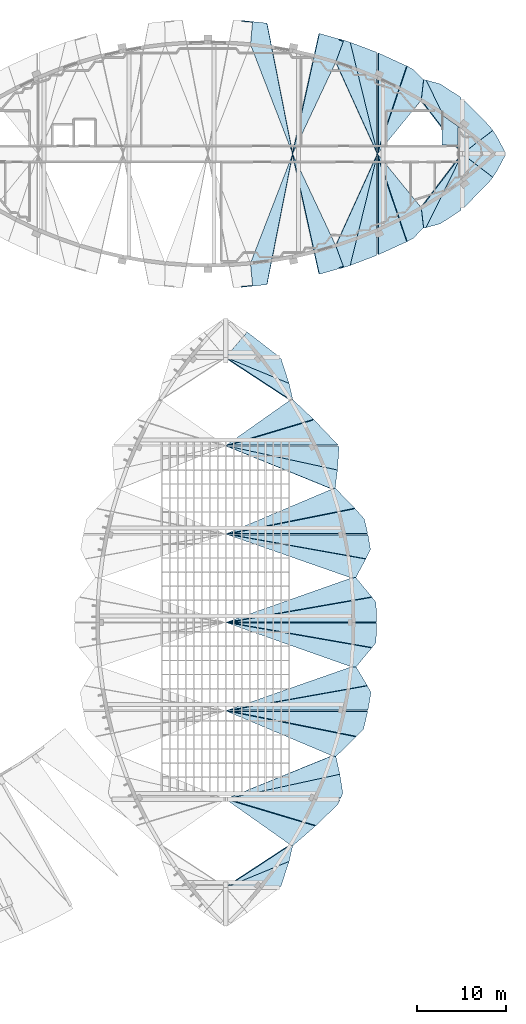
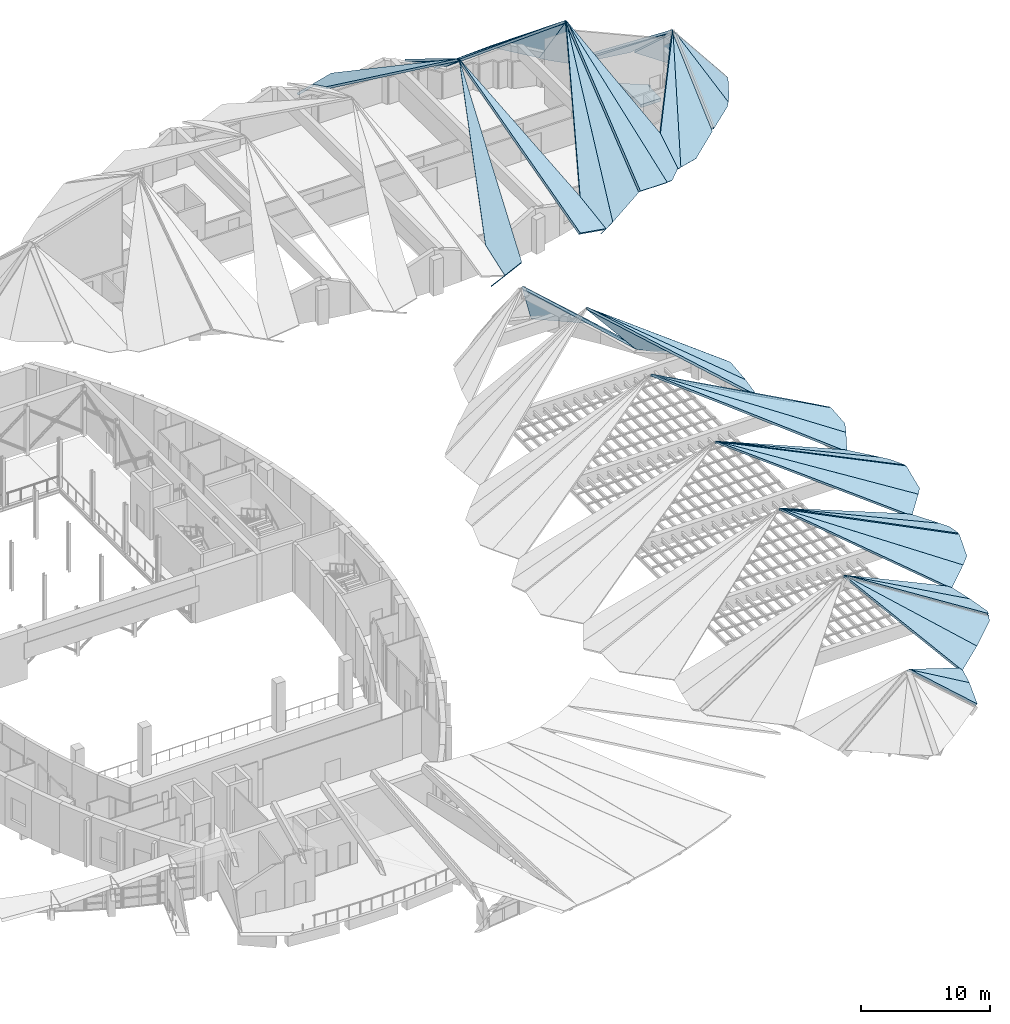
# One storey, part 26 of 56: 46 slabs.
"""IFC4 building model written with IfcOpenShell, lengths in metres."""

from ifc_helpers import new_model, si_unit, direction, frame, origin, place, context, subcontext, project, spatial, polyline, outline, extrude, material, layer, layer_set, type_object, element, save


model = new_model("IFC4")

# Units and contexts
model_context = context("Model", 3, precision=1e-05, world=origin(), true_north=direction((0.0, 1.0)))
body_context = subcontext(model_context, "Body", "Model", "MODEL_VIEW")
ifc_project = project(units=[si_unit("LENGTHUNIT", "METRE"), si_unit("AREAUNIT", "SQUARE_METRE"), si_unit("VOLUMEUNIT", "CUBIC_METRE"), si_unit("PLANEANGLEUNIT", "RADIAN"), si_unit("MASSUNIT", "GRAM", prefix="KILO")], contexts=[model_context])

# Site, building, storey
site_placement = place(None, origin())
site = spatial("IfcSite", under=ifc_project, at=site_placement, CompositionType="ELEMENT")
building_placement = place(site_placement, origin())
building = spatial("IfcBuilding", under=site, at=building_placement, Name="Tide Square Theatres", CompositionType="ELEMENT")
storey_placement = place(building_placement, frame((0.0, 0.0, 10.199951171875)))
storey = spatial("IfcBuildingStorey", under=building, at=storey_placement, Name="L02", CompositionType="ELEMENT", Elevation=10.199951171875)

# Slabs
ifc_material_1 = material(Name="Concrete C35", Category="concrete")
ifc_layer_1 = layer(ifc_material_1, 0.280029296875)
ifc_layer_set_1 = layer_set([ifc_layer_1], Name="Concrete C35")
slab_type_1 = type_object("IfcSlabType", Name="RC floor slab 280", PredefinedType="FLOOR", material=ifc_layer_set_1)
slab_1_placement = place(storey_placement, frame((0.0, 0.0, -0.280029296875)))
element("IfcSlab", 1, at=slab_1_placement, inside=storey, type_object=slab_type_1, Name="Rehearsal Block floor slab L02", PredefinedType="FLOOR", context=body_context, shape_type="SweptSolid", body=[
    extrude(outline(polyline([(156.399169921875, 98.800048828125), (158.199951171875, 98.800048828125), (158.199951171875, 100.770751953125), (158.38671875, 100.770751953125), (156.399169921875, 102.17333984375), (156.399169921875, 98.800048828125)])), origin(), (0.0, 0.0, 1.0), 0.280029296875),
])
ifc_material_2 = material(Name="Concrete C40", Category="concrete")
ifc_layer_2 = layer(ifc_material_2, 0.199951171875)
ifc_layer_set_2 = layer_set([ifc_layer_2], Name="Concrete C40")
slab_type_2 = type_object("IfcSlabType", Name="RC roof slab 200", PredefinedType="ROOF", material=ifc_layer_set_2)
slab_2_placement = place(storey_placement, frame((138.24951171875, 15.26220703125, 0.37451171875), z_axis=(0.651841129726, -0.209992899881, 0.728701669819), x_axis=(0.306634505872, 0.951827337183, 0.0)))
element("IfcSlab", 2, at=slab_2_placement, inside=storey, type_object=slab_type_2, Name="Roof plate blackbox-P001", PredefinedType="ROOF", context=body_context, shape_type="SweptSolid", body=[
    extrude(outline(polyline([(0.0, 0.0), (2.9443262710539138, 0.0), (-1.8141293898416808, 7.727795903360272), (0.0, 0.0)])), origin(), (0.0, 0.0, -1.0), 0.199951171875),
])
slab_3_placement = place(storey_placement, frame((139.31640625, 19.915771484375, 0.60009765625), z_axis=(0.64371022527, -0.148574380427, 0.750708198546), x_axis=(-0.714546787471, -0.467884606227, 0.520102762703)))
element("IfcSlab", 3, at=slab_3_placement, inside=storey, type_object=slab_type_2, Name="Roof plate blackbox-P002", PredefinedType="ROOF", context=body_context, shape_type="SweptSolid", body=[
    extrude(outline(polyline([(0.0, 0.0), (10.239218583435303, 0.0), (0.8525325142345725, 1.6620956280831232), (-0.24390417723711083, 0.2621384902535224), (0.0, 0.0)])), origin(), (0.0, 0.0, -1.0), 0.199951171875),
])
slab_4_placement = place(storey_placement, frame((139.553466796875, 19.805419921875, 0.374755859375), z_axis=(0.450816222594, -0.516851838219, 0.727756079175), x_axis=(0.75362146597, 0.657308668496, -1.8672417e-05)))
element("IfcSlab", 4, at=slab_4_placement, inside=storey, type_object=slab_type_2, Name="Roof plate blackbox-P003", PredefinedType="ROOF", context=body_context, shape_type="SweptSolid", body=[
    extrude(outline(polyline([(0.0, 0.0), (3.418661209771164, -2.220446049250313e-16), (-2.223126390282082, 12.288203356114805), (-0.10612308592226032, 0.3284691440458979), (0.0, 0.0)])), origin(), (0.0, 0.0, -1.0), 0.199951171875),
])
slab_5_placement = place(storey_placement, frame((142.134521484375, 22.051025390625, 0.37109375), z_axis=(0.468753755392, -0.48538371109, 0.738019355989), x_axis=(0.719305755696, 0.694693622665, 2.1265543e-05)))
element("IfcSlab", 5, at=slab_5_placement, inside=storey, type_object=slab_type_2, Name="Roof plate blackbox-P004", PredefinedType="ROOF", context=body_context, shape_type="SweptSolid", body=[
    extrude(outline(polyline([(0.0, 0.0), (3.50550750266216, 0.0), (4.020505820062702, 0.25928961846760046), (-5.008754329295012, 12.075247954446489), (0.0, 0.0)])), origin(), (0.0, 0.0, -1.0), 0.199951171875),
])
slab_6_placement = place(storey_placement, frame((145.216064453125, 25.77392578125, 0.337890625), z_axis=(0.534168637569, 0.085863986226, 0.841006089459), x_axis=(-0.158659547849, 0.987333351489, -3.022901e-05)))
element("IfcSlab", 6, at=slab_6_placement, inside=storey, type_object=slab_type_2, Name="Roof plate blackbox-P006", PredefinedType="ROOF", context=body_context, shape_type="SweptSolid", body=[
    extrude(outline(polyline([(0.0, 0.0), (2.139149803525805, 5.551115123125783e-17), (1.441349195093357, 15.0765159013952), (-0.5439402573822256, 0.38477074984799847), (0.0, 0.0)])), origin(), (0.0, 0.0, -1.0), 0.199951171875),
])
slab_7_placement = place(storey_placement, frame((132.0, 25.083740234375, 8.802490234375), z_axis=(0.528002976657, 0.11532766139, 0.841375295073), x_axis=(0.822133558054, 0.178910374358, -0.540451191754)))
element("IfcSlab", 7, at=slab_7_placement, inside=storey, type_object=slab_type_2, Name="Roof plate blackbox-P007", PredefinedType="ROOF", context=body_context, shape_type="SweptSolid", body=[
    extrude(outline(polyline([(0.0, 0.0), (15.662761079927593, 1.214306433183765e-17), (15.661229108386202, 2.0422088247784953), (15.17570792873776, 2.223795605383497), (0.0, 0.0)])), origin(), (0.0, 0.0, -1.0), 0.199951171875),
])
slab_8_placement = place(storey_placement, frame((144.4287109375, 29.8837890625, 0.344970703125), z_axis=(0.403536185551, -0.413358999378, 0.816267654991), x_axis=(0.715608971172, 0.698501107859, -5.1938312e-05)))
element("IfcSlab", 8, at=slab_8_placement, inside=storey, type_object=slab_type_2, Name="Roof plate blackbox-P008", PredefinedType="ROOF", context=body_context, shape_type="SweptSolid", body=[
    extrude(outline(polyline([(0.0, 0.0), (3.1727192353363716, 4.440892098500626e-16), (-5.291711772021265, 15.157467046026962), (-0.24313972496583394, 0.4413381798781687), (0.0, 0.0)])), origin(), (0.0, 0.0, -1.0), 0.199951171875),
])
slab_9_placement = place(storey_placement, frame((146.702880859375, 32.09912109375, 0.343017578125), z_axis=(0.412432877172, -0.389856001333, 0.823353763611), x_axis=(0.686978302391, 0.726677927605, -3.9699456e-05)))
element("IfcSlab", 9, at=slab_9_placement, inside=storey, type_object=slab_type_2, Name="Roof plate blackbox-P009", PredefinedType="ROOF", context=body_context, shape_type="SweptSolid", body=[
    extrude(outline(polyline([(0.0, 0.0), (1.2434502173172084, -1.1102230246251565e-16), (2.9820500319574172, 1.2266579197152387), (-7.740891423988614, 15.00240433314255), (0.0, 0.0)])), origin(), (0.0, 0.0, -1.0), 0.199951171875),
])
slab_10_placement = place(storey_placement, frame((148.39208984375, 37.10107421875, 0.330322265625), z_axis=(0.435167439676, 0.236351756479, 0.868773357473), x_axis=(-0.477309817991, 0.878735077919, 2.1999157e-05)))
element("IfcSlab", 10, at=slab_10_placement, inside=storey, type_object=slab_type_2, Name="Roof plate blackbox-P011", PredefinedType="ROOF", context=body_context, shape_type="SweptSolid", body=[
    extrude(outline(polyline([(0.0, 0.0), (0.8940691021952729, 5.551115123125783e-17), (5.867463603671381, 17.20164615596464), (-1.5747094035103049, 1.4313012202411177), (0.0, 0.0)])), origin(), (0.0, 0.0, -1.0), 0.199951171875),
])
slab_11_placement = place(storey_placement, frame((146.1640625, 39.993408203125, 0.60009765625), z_axis=(0.429854542753, 0.256624888477, 0.865660868175), x_axis=(-0.821314274413, -0.287125702464, 0.492952019603)))
element("IfcSlab", 11, at=slab_11_placement, inside=storey, type_object=slab_type_2, Name="Roof plate blackbox-P012", PredefinedType="ROOF", context=body_context, shape_type="SweptSolid", body=[
    extrude(outline(polyline([(0.0, 0.0), (17.245589530344652, -1.1102230246251565e-15), (-1.0058056686057628, 2.5961960622085263), (-0.5801415299079574, 0.1942411090286149), (0.0, 0.0)])), origin(), (0.0, 0.0, -1.0), 0.199951171875),
])
slab_12_placement = place(storey_placement, frame((146.70361328125, 39.98095703125, 0.335693359375), z_axis=(0.40777862309, -0.337579333042, 0.848384811541), x_axis=(0.637724242498, 0.770264752973, -2.9293243e-05)))
element("IfcSlab", 12, at=slab_12_placement, inside=storey, type_object=slab_type_2, Name="Roof plate blackbox-P013", PredefinedType="ROOF", context=body_context, shape_type="SweptSolid", body=[
    extrude(outline(polyline([(0.0, 0.0), (2.78197163258674, -2.220446049250313e-16), (-5.511124276509456, 17.122466396839577), (-0.3345016596925678, 0.4992878326882741), (0.0, 0.0)])), origin(), (0.0, 0.0, -1.0), 0.199951171875),
])
slab_13_placement = place(storey_placement, frame((148.480224609375, 42.123291015625, 0.33447265625), z_axis=(0.413986290526, -0.317197234357, 0.853229902062), x_axis=(0.608203472051, 0.79378116416, -3.175374e-06)))
element("IfcSlab", 13, at=slab_13_placement, inside=storey, type_object=slab_type_2, Name="Roof plate blackbox-P014", PredefinedType="ROOF", context=body_context, shape_type="SweptSolid", body=[
    extrude(outline(polyline([(0.0, 0.0), (0.7919853388838701, 1.6653345369377348e-16), (2.5619924806162917, 1.49612510061672), (-7.560700910128584, 16.98004299996804), (0.0, 0.0)])), origin(), (0.0, 0.0, -1.0), 0.199951171875),
])
slab_14_placement = place(storey_placement, frame((148.9619140625, 47.248046875, 0.33447265625), z_axis=(0.413986290526, 0.317197234357, 0.853229902062), x_axis=(-0.608203472051, 0.79378116416, 3.175374e-06)))
element("IfcSlab", 14, at=slab_14_placement, inside=storey, type_object=slab_type_2, Name="Roof plate blackbox-P016", PredefinedType="ROOF", context=body_context, shape_type="SweptSolid", body=[
    extrude(outline(polyline([(0.0, 0.0), (0.7919853388838701, -1.6653345369377348e-16), (8.352686249012455, 16.980042999968042), (-1.7700071417324215, 1.4961251006167198), (0.0, 0.0)])), origin(), (0.0, 0.0, -1.0), 0.199951171875),
])
slab_15_placement = place(storey_placement, frame((132.0, 45.0, 9.400146484375), z_axis=(0.407778271797, 0.33757890965, 0.848385148862), x_axis=(0.866105891908, 0.151178822143, -0.476450991957)))
element("IfcSlab", 15, at=slab_15_placement, inside=storey, type_object=slab_type_2, Name="Roof plate blackbox-P017", PredefinedType="ROOF", context=body_context, shape_type="SweptSolid", body=[
    extrude(outline(polyline([(0.0, 0.0), (19.025096458893465, 4.440892098500626e-16), (17.7940759854273, 2.541688522239008), (17.21726062884242, 2.587165192434457), (0.0, 0.0)])), origin(), (0.0, 0.0, -1.0), 0.199951171875),
])
slab_16_placement = place(storey_placement, frame((146.678955078125, 50.0517578125, 0.334716796875), z_axis=(0.460849153849, -0.247698468619, 0.852210963342), x_axis=(0.473462344921, 0.880814059535, -2.1622992e-05)))
element("IfcSlab", 16, at=slab_16_placement, inside=storey, type_object=slab_type_2, Name="Roof plate blackbox-P018", PredefinedType="ROOF", context=body_context, shape_type="SweptSolid", body=[
    extrude(outline(polyline([(0.0, 0.0), (2.3734760657882643, -1.1102230246251565e-16), (-2.628425948187599, 17.89752876850755), (-0.28357084732546506, 0.507118238104997), (0.0, 0.0)])), origin(), (0.0, 0.0, -1.0), 0.199951171875),
])
slab_17_placement = place(storey_placement, frame((147.80419921875, 52.14208984375, 0.333984375), z_axis=(0.466598118233, -0.225501151475, 0.855239981961), x_axis=(0.435074451295, 0.900394480297, 4.1008166e-05)))
element("IfcSlab", 17, at=slab_17_placement, inside=storey, type_object=slab_type_2, Name="Roof plate blackbox-P019", PredefinedType="ROOF", context=body_context, shape_type="SweptSolid", body=[
    extrude(outline(polyline([(0.0, 0.0), (1.2166287703854137, -1.1102230246251565e-16), (2.568988310846622, 1.1309145523068245), (-4.213405614789709, 17.543827097796743), (0.0, 0.0)])), origin(), (0.0, 0.0, -1.0), 0.199951171875),
])
slab_18_placement = place(storey_placement, frame((147.638916015625, 56.64892578125, 0.34765625), z_axis=(0.440739398825, 0.39132685885, 0.807844088836), x_axis=(-0.6639036847, 0.747818090042, -4.0593594e-05)))
element("IfcSlab", 18, at=slab_18_placement, inside=storey, type_object=slab_type_2, Name="Roof plate blackbox-P021", PredefinedType="ROOF", context=body_context, shape_type="SweptSolid", body=[
    extrude(outline(polyline([(0.0, 0.0), (1.6342688802628365, -1.1102230246251565e-16), (8.906764639426534, 15.418768055880458), (-1.4543904401438459, 0.9715510358349481), (0.0, 0.0)])), origin(), (0.0, 0.0, -1.0), 0.199951171875),
])
slab_19_placement = place(storey_placement, frame((144.003173828125, 60.0283203125, 0.60009765625), z_axis=(0.431120833363, 0.416122323904, 0.800610416238), x_axis=(-0.755276386604, -0.319022332412, 0.572522777941)))
element("IfcSlab", 19, at=slab_19_placement, inside=storey, type_object=slab_type_2, Name="Roof plate blackbox-P022", PredefinedType="ROOF", context=body_context, shape_type="SweptSolid", body=[
    extrude(outline(polyline([(0.0, 0.0), (15.89235332345597, -2.220446049250313e-16), (-1.3788745828510889, 3.0505933928146236), (-0.4458918538124589, 0.029083772992681327), (0.0, 0.0)])), origin(), (0.0, 0.0, -1.0), 0.199951171875),
])
slab_20_placement = place(storey_placement, frame((144.35400390625, 60.145751953125, 0.35009765625), z_axis=(0.595336577291, -0.075895161992, 0.799883919157), x_axis=(0.126470452663, 0.991970374826, -8.418883e-06)))
element("IfcSlab", 20, at=slab_20_placement, inside=storey, type_object=slab_type_2, Name="Roof plate blackbox-P023", PredefinedType="ROOF", context=body_context, shape_type="SweptSolid", body=[
    extrude(outline(polyline([(0.0, 0.0), (2.0422792747126945, -2.7755575615628914e-17), (3.169704735805697, 16.075000209429643), (-0.1608604520762549, 0.41652832848781074), (0.0, 0.0)])), origin(), (0.0, 0.0, -1.0), 0.199951171875),
])
slab_21_placement = place(storey_placement, frame((144.611328125, 62.171875, 0.350830078125), z_axis=(0.601375944453, -0.041152043545, 0.79790568537), x_axis=(0.068270157626, 0.997666871043, 0.0)))
element("IfcSlab", 21, at=slab_21_placement, inside=storey, type_object=slab_type_2, Name="Roof plate blackbox-P024", PredefinedType="ROOF", context=body_context, shape_type="SweptSolid", body=[
    extrude(outline(polyline([(0.0, 0.0), (2.6463109033465853, -2.7755575615628914e-17), (1.805717920052269, 15.395324467506033), (0.0, 0.0)])), origin(), (0.0, 0.0, -1.0), 0.199951171875),
])
slab_22_placement = place(storey_placement, frame((144.64990234375, 65.0205078125, 0.388427734375), z_axis=(0.522425702511, 0.496613716187, 0.693142266963), x_axis=(-0.688974976237, 0.724785128241, 0.0)))
element("IfcSlab", 22, at=slab_22_placement, inside=storey, type_object=slab_type_2, Name="Roof plate blackbox-P026", PredefinedType="ROOF", context=body_context, shape_type="SweptSolid", body=[
    extrude(outline(polyline([(0.0, 0.0), (3.954229585021727, 2.220446049250313e-16), (8.47543508975614, 12.863094041719187), (0.0, 0.0)])), origin(), (0.0, 0.0, -1.0), 0.199951171875),
])
slab_23_placement = place(storey_placement, frame((139.31640625, 70.084228515625, 0.60009765625), z_axis=(0.502271652156, 0.530551228174, 0.68281665308), x_axis=(-0.563553141522, -0.39806834127, 0.723843527538)))
element("IfcSlab", 23, at=slab_23_placement, inside=storey, type_object=slab_type_2, Name="Roof plate blackbox-P027", PredefinedType="ROOF", context=body_context, shape_type="SweptSolid", body=[
    extrude(outline(polyline([(0.0, 0.0), (12.982679749790716, -3.3306690738754696e-16), (-0.742188624745152, 3.333460761562307), (-0.2989417782521334, 0.09412504323281995), (0.0, 0.0)])), origin(), (0.0, 0.0, -1.0), 0.199951171875),
])
slab_24_placement = place(storey_placement, frame((139.576171875, 70.138916015625, 0.366455078125), z_axis=(0.643714238724, 0.148574281776, 0.750704776632), x_axis=(-0.224869625316, 0.9743888603, -2.310551e-05)))
element("IfcSlab", 24, at=slab_24_placement, inside=storey, type_object=slab_type_2, Name="Roof plate blackbox-P028", PredefinedType="ROOF", context=body_context, shape_type="SweptSolid", body=[
    extrude(outline(polyline([(0.0, 0.0), (1.8393353927603184, 0.0), (6.318309961255174, 8.414940525652256), (0.005121109535171633, 0.3535979750126055), (0.0, 0.0)])), origin(), (0.0, 0.0, -1.0), 0.199951171875),
])
slab_25_placement = place(storey_placement, frame((139.15234375, 71.935302734375, 0.37451171875), z_axis=(0.651841129726, 0.209992899881, 0.728701669819), x_axis=(-0.306634505872, 0.951827337183, 0.0)))
element("IfcSlab", 25, at=slab_25_placement, inside=storey, type_object=slab_type_2, Name="Roof plate blackbox-P029", PredefinedType="ROOF", context=body_context, shape_type="SweptSolid", body=[
    extrude(outline(polyline([(0.0, 0.0), (2.9443262710539138, 0.0), (4.758455660895594, 7.727795903360273), (0.0, 0.0)])), origin(), (0.0, 0.0, -1.0), 0.199951171875),
])
slab_26_placement = place(storey_placement, frame((137.939697265625, 75.01171875, 0.4541015625), z_axis=(0.505388987693, 0.652221904847, 0.564967749483), x_axis=(-0.790463748329, 0.612508826531, 0.0)))
element("IfcSlab", 26, at=slab_26_placement, inside=storey, type_object=slab_type_2, Name="Roof plate blackbox-P065", PredefinedType="ROOF", context=body_context, shape_type="SweptSolid", body=[
    extrude(outline(polyline([(0.0, 0.0), (4.429942539145969, 0.0), (4.602482894017605, 6.312464078288514), (0.0, 0.0)])), origin(), (0.0, 0.0, -1.0), 0.199951171875),
])
slab_27_placement = place(storey_placement, frame((136.6572265625, 83.064208984375, 1.58935546875), z_axis=(-0.255828663327, -0.479319812994, 0.83952618297), x_axis=(0.164320277984, 0.834227584992, 0.526367915702)))
element("IfcSlab", 27, at=slab_27_placement, inside=storey, type_object=slab_type_2, Name="Roof plate rehearsal-P018", PredefinedType="ROOF", context=body_context, shape_type="SweptSolid", body=[
    extrude(outline(polyline([(0.0, 0.0), (17.66396037441941, 0.0), (2.1320885612426648, 2.3128851118242744), (-0.7147409121281901, 1.5701738079769763), (-1.2523802159297013, 2.8167491112205987), (-1.2942450084321875, 2.822882095761818), (0.0, 0.0)])), origin(), (0.0, 0.0, -1.0), 0.199951171875),
])
slab_28_placement = place(storey_placement, frame((144.41943359375, 87.4580078125, 2.400146484375), z_axis=(0.422692842155, -0.447906206799, 0.787852010914), x_axis=(-0.341414087312, 0.726584496129, 0.596247759719)))
element("IfcSlab", 28, at=slab_28_placement, inside=storey, type_object=slab_type_2, Name="Roof plate rehearsal-P022", PredefinedType="ROOF", context=body_context, shape_type="SweptSolid", body=[
    extrude(outline(polyline([(0.0, 0.0), (14.233754363236446, -4.440892098500626e-16), (-2.222937057189035, 3.1078342481660517), (-3.188515624923049, 0.23464768909241174), (0.0, 0.0)])), origin(), (0.0, 0.0, -1.0), 0.199951171875),
])
slab_29_placement = place(storey_placement, frame((146.0458984375, 85.220947265625, 0.77197265625), z_axis=(-0.079311222004, -0.623665638772, 0.777657315969), x_axis=(0.185058481098, 0.75734256123, 0.626247238335)))
element("IfcSlab", 29, at=slab_29_placement, inside=storey, type_object=slab_type_2, Name="Roof plate rehearsal-P023", PredefinedType="ROOF", context=body_context, shape_type="SweptSolid", body=[
    extrude(outline(polyline([(0.0, 0.0), (16.60948925564879, 0.0), (2.412869414047524, 2.1163267666645282), (-0.4372090203680621, 0.6676223994654404), (-0.7636505847606248, 1.1483208772850306), (-0.756592991287657, 1.0689014714845846), (0.0, 0.0)])), origin(), (0.0, 0.0, -1.0), 0.199951171875),
])
slab_30_placement = place(storey_placement, frame((146.0458984375, 85.220947265625, 0.77197265625), z_axis=(-0.044306055858, -0.630182050925, 0.775182272828), x_axis=(0.885325321847, 0.334736109683, 0.322724048331)))
element("IfcSlab", 30, at=slab_30_placement, inside=storey, type_object=slab_type_2, Name="Roof plate rehearsal-P024", PredefinedType="ROOF", context=body_context, shape_type="SweptSolid", body=[
    extrude(outline(polyline([(0.0, 0.0), (3.3535628851447017, -1.1102230246251565e-16), (9.938065422488677, 12.594460865121775), (0.0, 0.0)])), origin(), (0.0, 0.0, -1.0), 0.199951171875),
])
slab_31_placement = place(storey_placement, frame((152.470458984375, 87.916259765625, 0.65185546875), z_axis=(0.499082607489, -0.546612120993, 0.6724074212), x_axis=(-0.226094078708, 0.666939268806, 0.709981323203)))
element("IfcSlab", 31, at=slab_31_placement, inside=storey, type_object=slab_type_2, Name="Roof plate rehearsal-P026", PredefinedType="ROOF", context=body_context, shape_type="SweptSolid", body=[
    extrude(outline(polyline([(0.0, 0.0), (14.356190254608574, -1.3322676295501878e-15), (0.5967205220721119, 3.718814636221147), (0.0, 0.0)])), origin(), (0.0, 0.0, -1.0), 0.199951171875),
])
slab_32_placement = place(storey_placement, frame((154.0615234375, 91.72900390625, 2.400146484375), z_axis=(0.531736985233, -0.526184521687, 0.663615572205), x_axis=(-0.420292741432, 0.516324419349, 0.746165601916)))
element("IfcSlab", 32, at=slab_32_placement, inside=storey, type_object=slab_type_2, Name="Roof plate rehearsal-P027", PredefinedType="ROOF", context=body_context, shape_type="SweptSolid", body=[
    extrude(outline(polyline([(0.0, 0.0), (11.758108417600434, -6.661338147750939e-16), (-2.6044146817339806, 3.6526770479410895), (-2.885673550988862, 2.8913903119480717), (-2.766651864276798, 1.2304023841726317), (0.0, 0.0)])), origin(), (0.0, 0.0, -1.0), 0.199951171875),
])
slab_33_placement = place(storey_placement, frame((154.32421875, 89.4296875, 0.366455078125), z_axis=(0.117678414206, -0.650343304199, 0.750470104343), x_axis=(0.984001016308, 0.178162821246, 9.5032004e-05)))
element("IfcSlab", 33, at=slab_33_placement, inside=storey, type_object=slab_type_2, Name="Roof plate rehearsal-P028", PredefinedType="ROOF", context=body_context, shape_type="SweptSolid", body=[
    extrude(outline(polyline([(0.0, 0.0), (0.2684592315940298, -6.938893903907228e-18), (5.778177747969608, 9.940934910862104), (0.15135350916369608, 3.077150892176587), (0.0, 0.0)])), origin(), (0.0, 0.0, -1.0), 0.199951171875),
])
slab_34_placement = place(storey_placement, frame((154.593505859375, 89.488037109375, 0.374755859375), z_axis=(0.178013644011, -0.66219448838, 0.727880211371), x_axis=(0.965721873335, 0.259579010356, -2.7311934e-05)))
element("IfcSlab", 34, at=slab_34_placement, inside=storey, type_object=slab_type_2, Name="Roof plate rehearsal-P029", PredefinedType="ROOF", context=body_context, shape_type="SweptSolid", body=[
    extrude(outline(polyline([(0.0, 0.0), (1.6705328274869389, 1.1102230246251565e-16), (4.323357163287839, 1.2011072389629083), (5.89722111341847, 9.24626440507435), (0.0, 0.0)])), origin(), (0.0, 0.0, -1.0), 0.199951171875),
])
slab_35_placement = place(storey_placement, frame((134.80419921875, 110.126708984375, 2.400146484375), z_axis=(-0.255829546483, 0.47931674719, 0.839527664231), x_axis=(0.302843562764, -0.784978218751, 0.540458113622)))
element("IfcSlab", 35, at=slab_35_placement, inside=storey, type_object=slab_type_2, Name="Roof plate rehearsal-P048", PredefinedType="ROOF", context=body_context, shape_type="SweptSolid", body=[
    extrude(outline(polyline([(0.0, 0.0), (15.703135978885694, -1.1102230246251565e-16), (-1.768174759909964, 2.601691217727726), (-3.4640812059187645, 0.00022340227727626893), (-3.421578045783754, 2.748475391263494e-05), (-2.706388367075589, 1.1539151348835939), (0.0, 0.0)])), origin(), (0.0, 0.0, -1.0), 0.199951171875),
])
slab_36_placement = place(storey_placement, frame((142.5693359375, 111.376220703125, 1.553955078125), z_axis=(0.422698811485, 0.447908449807, 0.787847533067), x_axis=(-0.179700639957, -0.810644150711, 0.557282460623)))
element("IfcSlab", 36, at=slab_36_placement, inside=storey, type_object=slab_type_2, Name="Roof plate rehearsal-P052", PredefinedType="ROOF", context=body_context, shape_type="SweptSolid", body=[
    extrude(outline(polyline([(0.0, 0.0), (16.747378814978287, -4.440892098500626e-16), (2.7610310711771224, 2.6413614478697554), (-0.41564923141529153, 3.0024621048590183), (0.0, 0.0)])), origin(), (0.0, 0.0, -1.0), 0.199951171875),
])
slab_37_placement = place(storey_placement, frame((149.11962890625, 97.800048828125, 11.173583984375), z_axis=(-0.079391348022, 0.623650763509, 0.777661069512), x_axis=(-0.185058384682, 0.757341805607, -0.626248180627)))
element("IfcSlab", 37, at=slab_37_placement, inside=storey, type_object=slab_type_2, Name="Roof plate rehearsal-P053", PredefinedType="ROOF", context=body_context, shape_type="SweptSolid", body=[
    extrude(outline(polyline([(0.0, 0.0), (16.609489255581362, -3.3306690738754696e-16), (17.366082246746515, 1.0689014831102535), (17.373139840156416, 1.1483208861278897), (17.04651337778141, 0.6676696672315278), (14.19643494297463, 2.116374033969627), (0.0, 0.0)])), origin(), (0.0, 0.0, -1.0), 0.199951171875),
])
slab_38_placement = place(storey_placement, frame((146.0458984375, 110.379150390625, 0.77197265625), z_axis=(-0.044248682454, 0.630192055188, 0.775177416905), x_axis=(0.185061989658, -0.757337393248, 0.62625245131)))
element("IfcSlab", 38, at=slab_38_placement, inside=storey, type_object=slab_type_2, Name="Roof plate rehearsal-P054", PredefinedType="ROOF", context=body_context, shape_type="SweptSolid", body=[
    extrude(outline(polyline([(0.0, 0.0), (16.043241219427856, 4.440892098500626e-16), (2.077566075301031, 2.6326130386550024), (0.0, 0.0)])), origin(), (0.0, 0.0, -1.0), 0.199951171875),
])
slab_39_placement = place(storey_placement, frame((152.470458984375, 107.683837890625, 0.65185546875), z_axis=(0.49905258683, 0.54663029229, 0.672414930775), x_axis=(-0.861816402581, 0.394251023731, 0.319121635946)))
element("IfcSlab", 39, at=slab_39_placement, inside=storey, type_object=slab_type_2, Name="Roof plate rehearsal-P056", PredefinedType="ROOF", context=body_context, shape_type="SweptSolid", body=[
    extrude(outline(polyline([(0.0, 0.0), (3.7662889678742055, -1.1102230246251565e-16), (2.2751761725526745, 14.17475826990947), (0.0, 0.0)])), origin(), (0.0, 0.0, -1.0), 0.199951171875),
])
slab_40_placement = place(storey_placement, frame((152.470458984375, 107.683837890625, 0.65185546875), z_axis=(0.531767808438, 0.526164596833, 0.663606671868), x_axis=(-0.226103494089, -0.666932276603, 0.709984893069)))
element("IfcSlab", 40, at=slab_40_placement, inside=storey, type_object=slab_type_2, Name="Roof plate rehearsal-P057", PredefinedType="ROOF", context=body_context, shape_type="SweptSolid", body=[
    extrude(outline(polyline([(0.0, 0.0), (14.819720624744269, 0.0), (3.4245199326832627, 2.89819779050583), (0.4397958610720104, 2.38753325986302), (-0.0847815841977741, 0.8072523964928235), (0.0, 0.0)])), origin(), (0.0, 0.0, -1.0), 0.199951171875),
])
slab_41_placement = place(storey_placement, frame((158.68017578125, 97.800048828125, 6.93701171875), z_axis=(0.117589955606, 0.65032238431, 0.750502097802), x_axis=(-0.360012095932, 0.732250970458, -0.578100170425)))
element("IfcSlab", 41, at=slab_41_placement, inside=storey, type_object=slab_type_2, Name="Roof plate rehearsal-P058", PredefinedType="ROOF", context=body_context, shape_type="SweptSolid", body=[
    extrude(outline(polyline([(0.0, 0.0), (11.36570213535741, -4.440892098500626e-16), (11.495842339949352, 0.23480605647193364), (8.730883039372468, 1.594176622132906), (0.0, 0.0)])), origin(), (0.0, 0.0, -1.0), 0.199951171875),
])
slab_42_placement = place(storey_placement, frame((156.206787109375, 105.67822265625, 0.374755859375), z_axis=(0.178013644011, 0.66219448838, 0.727880211371), x_axis=(-0.965702460656, 0.259651219183, -4.312824e-05)))
element("IfcSlab", 42, at=slab_42_placement, inside=storey, type_object=slab_type_2, Name="Roof plate rehearsal-P059", PredefinedType="ROOF", context=body_context, shape_type="SweptSolid", body=[
    extrude(outline(polyline([(0.0, 0.0), (1.6705962100834852, 1.1102230246251565e-16), (-4.227638102313791, 9.245830162340232), (-2.652884316234639, 1.2006631081986845), (0.0, 0.0)])), origin(), (0.0, 0.0, -1.0), 0.199951171875),
])
slab_43_placement = place(storey_placement, frame((161.723388671875, 94.645263671875, 0.459716796875), z_axis=(0.65927376018, -0.505979747872, 0.556185763825), x_axis=(0.608879375431, 0.793262819071, -7.7805203e-05)))
element("IfcSlab", 43, at=slab_43_placement, inside=storey, type_object=slab_type_2, Name="Roof plate rehearsal-P065", PredefinedType="ROOF", context=body_context, shape_type="SweptSolid", body=[
    extrude(outline(polyline([(0.0, 0.0), (0.6546801846298076, 0.0), (0.6493745224562556, 7.4806420750063864), (-4.115974526474641, 0.9037800815911868), (0.0, 0.0)])), origin(), (0.0, 0.0, -1.0), 0.199951171875),
])
slab_44_placement = place(storey_placement, frame((162.12158203125, 95.164794921875, 0.46044921875), z_axis=(0.696320129887, -0.454942573351, 0.555126590668), x_axis=(0.546967699338, 0.837153710907, -1.3971438e-05)))
element("IfcSlab", 44, at=slab_44_placement, inside=storey, type_object=slab_type_2, Name="Roof plate rehearsal-P066", PredefinedType="ROOF", context=body_context, shape_type="SweptSolid", body=[
    extrude(outline(polyline([(0.0, 0.0), (0.871699306325374, 0.0), (2.911926757855616, 0.336130284220256), (0.31201090461261194, 7.504144614216924), (0.0, 0.0)])), origin(), (0.0, 0.0, -1.0), 0.199951171875),
])
slab_45_placement = place(storey_placement, frame((162.598388671875, 99.70556640625, 0.46044921875), z_axis=(0.696300753813, 0.454975090893, 0.555124244568), x_axis=(-0.547033562305, 0.837110672283, 6.3729129e-05)))
element("IfcSlab", 45, at=slab_45_placement, inside=storey, type_object=slab_type_2, Name="Roof plate rehearsal-P067", PredefinedType="ROOF", context=body_context, shape_type="SweptSolid", body=[
    extrude(outline(polyline([(0.0, 0.0), (0.8714949306552708, 0.0), (0.560326725022452, 7.504096978272488), (-2.040198849579229, 0.3363038307761113), (0.0, 0.0)])), origin(), (0.0, 0.0, -1.0), 0.199951171875),
])
slab_46_placement = place(storey_placement, frame((162.1220703125, 100.435302734375, 0.459716796875), z_axis=(0.65927905337, 0.505987691993, 0.556172262288), x_axis=(-0.608881403568, 0.79326126251, 7.6091522e-05)))
element("IfcSlab", 46, at=slab_46_placement, inside=storey, type_object=slab_type_2, Name="Roof plate rehearsal-P068", PredefinedType="ROOF", context=body_context, shape_type="SweptSolid", body=[
    extrude(outline(polyline([(0.0, 0.0), (0.6546801849085839, 2.7755575615628914e-17), (4.770654709073006, 0.9037800923142743), (0.005499313128475888, 7.480559383794949), (0.0, 0.0)])), origin(), (0.0, 0.0, -1.0), 0.199951171875),
])

save(model, "model.ifc")
